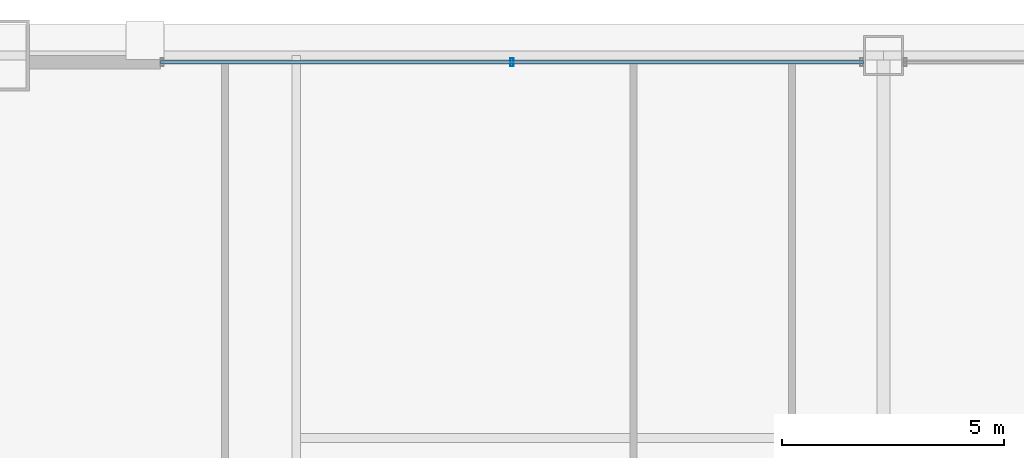
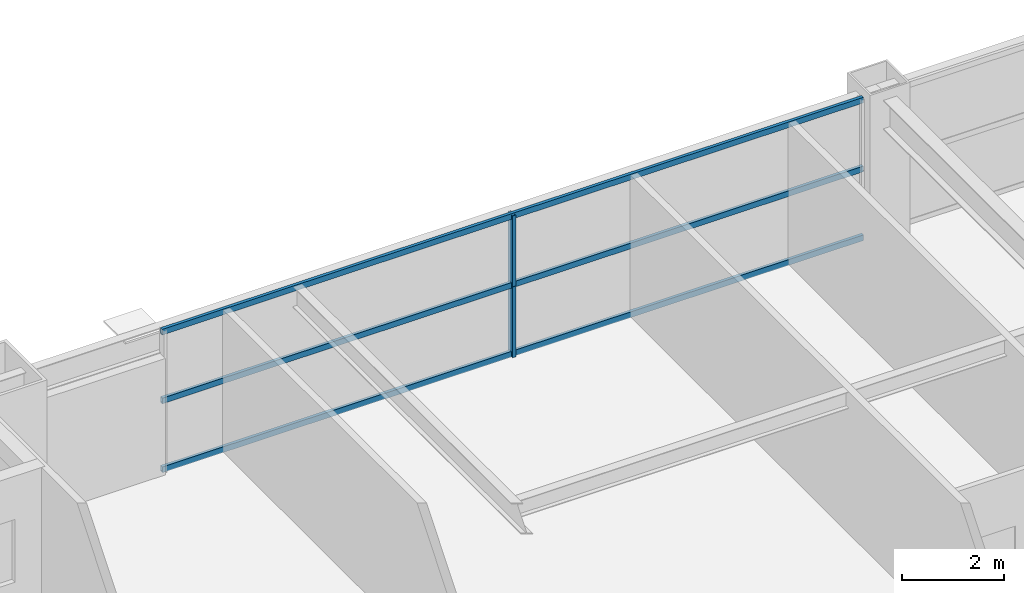
# One storey, part 24 of 38: 5 members, 1 element without a shape of its own.
"""IFC4 building model written with IfcOpenShell, lengths in metres."""

import ifcopenshell
import ifcopenshell.guid

model = None  # the IFC model being written
_history = None  # IfcOwnerHistory: only IFC2X3 demands one
_inside = {}  # id of a spatial element -> (the spatial element, [elements in it])
_under = {}  # id of a project, library or spatial element -> (it, [spatial elements below it])
_declared = {}  # id of a project -> (the project, [libraries it declares])
_typed = {}  # id of a type object -> (the type object, [elements of that type])
_made_of = {}  # id of a material, layer set ... -> (it, [elements and type objects made of it])


def new_model(schema):
    """Start an empty IFC model of exactly this schema.

    Asked for "IFC4X3", IfcOpenShell would pick the latest addendum, in which some entities
    have other attributes; the version numbers below select the first issue.
    IFC2X3 requires an IfcOwnerHistory on every rooted entity: one is made here for all.
    """
    global model, _history
    if schema == "IFC4X3":
        model = ifcopenshell.file(schema_version=(4, 3, 0, 0))
    else:
        model = ifcopenshell.file(schema=schema)
    _inside.clear()
    _under.clear()
    _declared.clear()
    _typed.clear()
    _made_of.clear()
    _history = None
    if model.schema == "IFC2X3":
        org = make("IfcOrganization", Name="unknown")
        user = make(
            "IfcPersonAndOrganization",
            ThePerson=make("IfcPerson", FamilyName="unknown"),
            TheOrganization=org,
        )
        app = make(
            "IfcApplication",
            ApplicationDeveloper=org,
            Version="unknown",
            ApplicationFullName="unknown",
            ApplicationIdentifier="unknown",
        )
        _history = make(
            "IfcOwnerHistory",
            OwningUser=user,
            OwningApplication=app,
            ChangeAction="ADDED",
            CreationDate=0,
        )
    return model


def make(cls, **values):
    """One entity of the class cls with the attributes given. An attribute that is None is left unset."""
    return model.create_entity(
        cls, **{name: value for name, value in values.items() if value is not None}
    )


def rooted(cls, **values):
    """An entity with a GlobalId (a new one), such as an element, a storey or a relation."""
    return make(cls, GlobalId=ifcopenshell.guid.new(), OwnerHistory=_history, **values)


def si_unit(unit_type, name, prefix=None):
    """IfcSIUnit, for example si_unit("LENGTHUNIT", "METRE", prefix="MILLI")."""
    return make("IfcSIUnit", UnitType=unit_type, Prefix=prefix, Name=name)


def assignment(units):
    """IfcUnitAssignment: the units of a project."""
    return None if units is None else make("IfcUnitAssignment", Units=units)


def point(xyz):
    """IfcCartesianPoint."""
    return None if xyz is None else make("IfcCartesianPoint", Coordinates=xyz)


def direction(xyz):
    """IfcDirection."""
    return None if xyz is None else make("IfcDirection", DirectionRatios=xyz)


def frame(location, z_axis=None, x_axis=None):
    """IfcAxis2Placement3D, a coordinate frame: its origin and axes. An axis left out is left unset."""
    return make(
        "IfcAxis2Placement3D",
        Location=point(location),
        Axis=direction(z_axis),
        RefDirection=direction(x_axis),
    )


def frame_2d(location, x_axis=None):
    """IfcAxis2Placement2D, a coordinate frame in the plane: its origin and x axis."""
    return make(
        "IfcAxis2Placement2D", Location=point(location), RefDirection=direction(x_axis)
    )


def origin():
    """The frame at (0, 0, 0) with its axes left unset."""
    return frame((0.0, 0.0, 0.0))


def origin_2d():
    """The frame at (0, 0) in the plane with its x axis left unset."""
    return frame_2d((0.0, 0.0))


def place(relative_to, where):
    """IfcLocalPlacement: puts the frame where relative to a parent placement (None: the world)."""
    return make(
        "IfcLocalPlacement", PlacementRelTo=relative_to, RelativePlacement=where
    )


def context(
    kind, dimensions, precision=None, world=None, true_north=None, identifier=None
):
    """IfcGeometricRepresentationContext, for example the 3D "Model" context."""
    return make(
        "IfcGeometricRepresentationContext",
        ContextIdentifier=identifier,
        ContextType=kind,
        CoordinateSpaceDimension=dimensions,
        Precision=precision,
        WorldCoordinateSystem=world,
        TrueNorth=true_north,
    )


def subcontext(parent, identifier, kind, view, scale=None):
    """IfcGeometricRepresentationSubContext, for example "Body" below "Model"."""
    return make(
        "IfcGeometricRepresentationSubContext",
        ContextIdentifier=identifier,
        ContextType=kind,
        ParentContext=parent,
        TargetScale=scale,
        TargetView=view,
    )


def project(units=None, contexts=None):
    """IfcProject with its units and contexts."""
    return rooted(
        "IfcProject",
        Name="project",
        RepresentationContexts=contexts,
        UnitsInContext=assignment(units),
    )


def spatial(cls, under=None, at=None, **own):
    """A site, building, storey or space (cls), placed at a placement, below another one or the project."""
    s = rooted(cls, ObjectPlacement=at, **own)
    if under is not None:
        _under.setdefault(under.id(), (under, []))[1].append(s)
    return s


def profile(cls, at=None, kind="AREA", **sizes):
    """A parametric profile (cls). Its sizes go by their IFC names, for example OverallWidth=200.0."""
    return make(cls, ProfileType=kind, Position=at, **sizes)


def hollow_rectangle(**sizes):
    """IfcRectangleHollowProfileDef."""
    return profile("IfcRectangleHollowProfileDef", **sizes)


def extrude(swept, where, along, depth):
    """IfcExtrudedAreaSolid: the profile swept, set in the frame where, extruded along a direction by depth."""
    return make(
        "IfcExtrudedAreaSolid",
        SweptArea=swept,
        Position=where,
        ExtrudedDirection=direction(along),
        Depth=depth,
    )


def shape(context_of_items, identifier, shape_type, items):
    """IfcShapeRepresentation: the items that make up one representation, for example the "Body"."""
    return make(
        "IfcShapeRepresentation",
        ContextOfItems=context_of_items,
        RepresentationIdentifier=identifier,
        RepresentationType=shape_type,
        Items=items,
    )


def source(mapping_origin, context_of_items, identifier, shape_type, items):
    """IfcRepresentationMap: a shape defined once, which mapped items show again and again."""
    return make(
        "IfcRepresentationMap",
        MappingOrigin=mapping_origin,
        MappedRepresentation=shape(context_of_items, identifier, shape_type, items),
    )


def transform(
    local_origin,
    x_axis=None,
    y_axis=None,
    z_axis=None,
    scale=None,
    scale2=None,
    scale3=None,
    uniform=True,
):
    """IfcCartesianTransformationOperator3D, or its non-uniform kind. x_axis, y_axis, z_axis: its Axis1, 2, 3."""
    if uniform:
        return make(
            "IfcCartesianTransformationOperator3D",
            Axis1=direction(x_axis),
            Axis2=direction(y_axis),
            LocalOrigin=point(local_origin),
            Scale=scale,
            Axis3=direction(z_axis),
        )
    return make(
        "IfcCartesianTransformationOperator3DnonUniform",
        Axis1=direction(x_axis),
        Axis2=direction(y_axis),
        LocalOrigin=point(local_origin),
        Scale=scale,
        Axis3=direction(z_axis),
        Scale2=scale2,
        Scale3=scale3,
    )


def mapped(mapping_source, mapping_target):
    """IfcMappedItem: shows the shape of a source again, moved by a transform."""
    return make(
        "IfcMappedItem", MappingSource=mapping_source, MappingTarget=mapping_target
    )


def material(Name=None, Category=None):
    """IfcMaterial."""
    return make("IfcMaterial", Name=Name, Category=Category)


def layer(
    of_material, thickness, ventilated=None, Name=None, Category=None, Priority=None
):
    """IfcMaterialLayer: one layer of a wall or slab, of a material (None: an air gap)."""
    return make(
        "IfcMaterialLayer",
        Material=of_material,
        LayerThickness=thickness,
        IsVentilated=ventilated,
        Name=Name,
        Category=Category,
        Priority=Priority,
    )


def layer_set(layers, Name=None):
    """IfcMaterialLayerSet."""
    return make("IfcMaterialLayerSet", MaterialLayers=layers, LayerSetName=Name)


def material_profile(
    of_material, cross_section, Name=None, Category=None, Priority=None
):
    """IfcMaterialProfile: a cross section and its material."""
    return make(
        "IfcMaterialProfile",
        Name=Name,
        Material=of_material,
        Profile=cross_section,
        Priority=Priority,
        Category=Category,
    )


def profile_set(profiles, Name=None, composite=None):
    """IfcMaterialProfileSet."""
    return make(
        "IfcMaterialProfileSet",
        Name=Name,
        MaterialProfiles=profiles,
        CompositeProfile=composite,
    )


def made_of(thing, what):
    """Note that an element or type object is made of a material, layer set ...; save() writes the relation."""
    if what is not None:
        _made_of.setdefault(what.id(), (what, []))[1].append(thing)
    return thing


def type_object(cls, material=None, **own):
    """A type object (cls), such as IfcWallType, which elements share."""
    return made_of(rooted(cls, **own), material)


def element(
    cls,
    number,
    at=None,
    inside=None,
    cuts=None,
    type_object=None,
    material=None,
    context=None,
    identifier="Body",
    shape_type=None,
    held_by="IfcProductDefinitionShape",
    body=None,
    shapes=None,
    **own,
):
    """One element of the class cls, such as IfcWall. Its Tag is "e" and its number.

    at: its placement. inside: the storey or other place that contains it. cuts: it is an
    opening in that element (IfcRelVoidsElement). A single representation is given by context,
    identifier, shape_type and body (its items); several are given by shapes. held_by: the class
    of the entity that holds the representations. save() writes the other relations.
    """
    e = rooted(cls, Tag="e%d" % number, ObjectPlacement=at, **own)
    if body is not None:
        shapes = [shape(context, identifier, shape_type, body)]
    if shapes is not None:
        e.Representation = make(held_by, Representations=shapes)
    if inside is not None:
        _inside.setdefault(inside.id(), (inside, []))[1].append(e)
    if cuts is not None:
        rooted(
            "IfcRelVoidsElement", RelatingBuildingElement=cuts, RelatedOpeningElement=e
        )
    if type_object is not None:
        _typed.setdefault(type_object.id(), (type_object, []))[1].append(e)
    return made_of(e, material)


def aggregate(whole, parts):
    """IfcRelAggregates: a whole, such as a stair, and the parts it consists of."""
    return rooted("IfcRelAggregates", RelatingObject=whole, RelatedObjects=parts)


def save(model, path):
    """Write the relations noted so far, then the file.

    IfcRelAggregates (storeys below a building ...), IfcRelContainedInSpatialStructure (elements
    in a storey), IfcRelDefinesByType, IfcRelAssociatesMaterial and IfcRelDeclares: one each for
    every whole, place, type object, material and project.
    """
    for whole, parts in _under.values():
        aggregate(whole, parts)
    for where, things in _inside.values():
        rooted(
            "IfcRelContainedInSpatialStructure",
            RelatedElements=things,
            RelatingStructure=where,
        )
    for kind, things in _typed.values():
        rooted("IfcRelDefinesByType", RelatedObjects=things, RelatingType=kind)
    for what, things in _made_of.values():
        rooted("IfcRelAssociatesMaterial", RelatedObjects=things, RelatingMaterial=what)
    for by, libraries in _declared.values():
        rooted("IfcRelDeclares", RelatingContext=by, RelatedDefinitions=libraries)
    model.write(path)


model = new_model("IFC4")

# Units and contexts
model_context = context("Model", 3, precision=1e-05, world=origin(), true_north=direction((0.0, 1.0)))
body_context = subcontext(model_context, "Body", "Model", "MODEL_VIEW")
ifc_project = project(units=[si_unit("LENGTHUNIT", "METRE"), si_unit("AREAUNIT", "SQUARE_METRE"), si_unit("VOLUMEUNIT", "CUBIC_METRE"), si_unit("PLANEANGLEUNIT", "RADIAN"), si_unit("MASSUNIT", "GRAM", prefix="KILO"), si_unit("THERMODYNAMICTEMPERATUREUNIT", "KELVIN"), si_unit("POWERUNIT", "WATT")], contexts=[model_context])

# Site, building, storey
site_placement = place(None, origin())
site = spatial("IfcSite", under=ifc_project, at=site_placement, CompositionType="ELEMENT")
building_placement = place(site_placement, origin())
building = spatial("IfcBuilding", under=site, at=building_placement, Name="Yuzanri Waterfront Tower", CompositionType="ELEMENT")
storey_placement = place(building_placement, frame((0.0, 0.0, 119.0)))
storey = spatial("IfcBuildingStorey", under=building, at=storey_placement, Name="L31", CompositionType="ELEMENT", Elevation=119.0)

# Curtain wall, members
ifc_material_1 = material(Name="Anodized Architectural Bronze", Category="metal")
ifc_layer = layer(ifc_material_1, 0.159912109375)
ifc_layer_set = layer_set([ifc_layer], Name="Anodized Architectural Bronze")
curtain_wall_type = type_object("IfcCurtainWallType", Name="Anodized Bronze Hotel Upper-Tier Solar-Control Unitized Curtain Wall 7800", PredefinedType="NOTDEFINED", material=ifc_layer_set)
curtain_wall_placement = place(storey_placement, origin())
curtain_wall = element("IfcCurtainWall", 1, at=curtain_wall_placement, inside=storey, type_object=curtain_wall_type, Name="L31 Curtain Wall CW-L31-NL", PredefinedType="NOTDEFINED")
ifc_material_2 = material(Name="Anodized Architectural Bronze", Category="metal")
ifc_material_profile_1 = material_profile(ifc_material_2, hollow_rectangle(XDim=0.070068359375, YDim=0.179931640625, WallThickness=0.00390625, at=origin_2d()), Name="CWM 70x180")
ifc_profile_set_1 = profile_set([ifc_material_profile_1], Name="Anodized Architectural Bronze")
member_type_1 = type_object("IfcMemberType", Name="Anodized Bronze Standard Curtain-Wall Mullion 70x180", PredefinedType="MULLION", material=ifc_profile_set_1)
shared_shape_1 = source(origin(), body_context, "Body", "SweptSolid", [
    extrude(hollow_rectangle(XDim=0.070068359375, YDim=0.179931640625, WallThickness=0.00390625, at=origin_2d()), origin(), (0.0, 0.0, 1.0), 1.68798828125),
])
member_1_placement = place(storey_placement, frame((28.64990234375, 49.25, 0.0), z_axis=(0.0, 0.0, 1.0), x_axis=(1.0, 0.0, 0.0)))
member_1 = element("IfcMember", 2, at=member_1_placement, type_object=member_type_1, Name="CW-L31-NL Lower Mullion 01", PredefinedType="MULLION", context=body_context, shape_type="MappedRepresentation", body=[
    mapped(shared_shape_1, transform((0.0, 0.0, 0.0), scale=1.0)),
])
member_2_placement = place(storey_placement, frame((28.64990234375, 49.25, 1.69189453125), z_axis=(0.0, 0.0, 1.0), x_axis=(1.0, 0.0, 0.0)))
member_2 = element("IfcMember", 3, at=member_2_placement, type_object=member_type_1, Name="CW-L31-NL Upper Mullion 01", PredefinedType="MULLION", context=body_context, shape_type="MappedRepresentation", body=[
    mapped(shared_shape_1, transform((0.0, 0.0, 0.0), scale=1.0)),
])
ifc_material_3 = material(Name="Anodized Architectural Bronze", Category="metal")
ifc_material_profile_2 = material_profile(ifc_material_3, hollow_rectangle(XDim=0.070068359375, YDim=0.135009765625, WallThickness=0.00341796875, at=origin_2d()), Name="CWT 70x135")
ifc_profile_set_2 = profile_set([ifc_material_profile_2], Name="Anodized Architectural Bronze")
member_type_2 = type_object("IfcMemberType", Name="Anodized Bronze Standard Curtain-Wall Transom 70x135", PredefinedType="USERDEFINED", material=ifc_profile_set_2)
shared_shape_2 = source(origin(), body_context, "Body", "SweptSolid", [
    extrude(hollow_rectangle(XDim=0.070068359375, YDim=0.135009765625, WallThickness=0.00341796875, at=origin_2d()), origin(), (0.0, 0.0, 1.0), 15.800048828125),
])
member_3_placement = place(storey_placement, frame((20.75, 49.25, 0.050048828125), z_axis=(1.0, 0.0, 0.0), x_axis=(0.0, 1.0, 0.0)))
member_3 = element("IfcMember", 4, at=member_3_placement, type_object=member_type_2, Name="CW-L31-NL Transom 1", ObjectType="TRANSOM", PredefinedType="USERDEFINED", context=body_context, shape_type="MappedRepresentation", body=[
    mapped(shared_shape_2, transform((0.0, 0.0, 0.0), scale=1.0)),
])
member_4_placement = place(storey_placement, frame((20.75, 49.25, 1.68994140625), z_axis=(1.0, 0.0, 0.0), x_axis=(0.0, 1.0, 0.0)))
member_4 = element("IfcMember", 5, at=member_4_placement, type_object=member_type_2, Name="CW-L31-NL Transom 2", ObjectType="TRANSOM", PredefinedType="USERDEFINED", context=body_context, shape_type="MappedRepresentation", body=[
    mapped(shared_shape_2, transform((0.0, 0.0, 0.0), scale=1.0)),
])
member_5_placement = place(storey_placement, frame((20.75, 49.25, 3.330078125), z_axis=(1.0, 0.0, 0.0), x_axis=(0.0, 1.0, 0.0)))
member_5 = element("IfcMember", 6, at=member_5_placement, type_object=member_type_2, Name="CW-L31-NL Transom 3", ObjectType="TRANSOM", PredefinedType="USERDEFINED", context=body_context, shape_type="MappedRepresentation", body=[
    mapped(shared_shape_2, transform((0.0, 0.0, 0.0), scale=1.0)),
])
aggregate(curtain_wall, [member_1, member_2, member_3, member_4, member_5])

save(model, "model.ifc")
